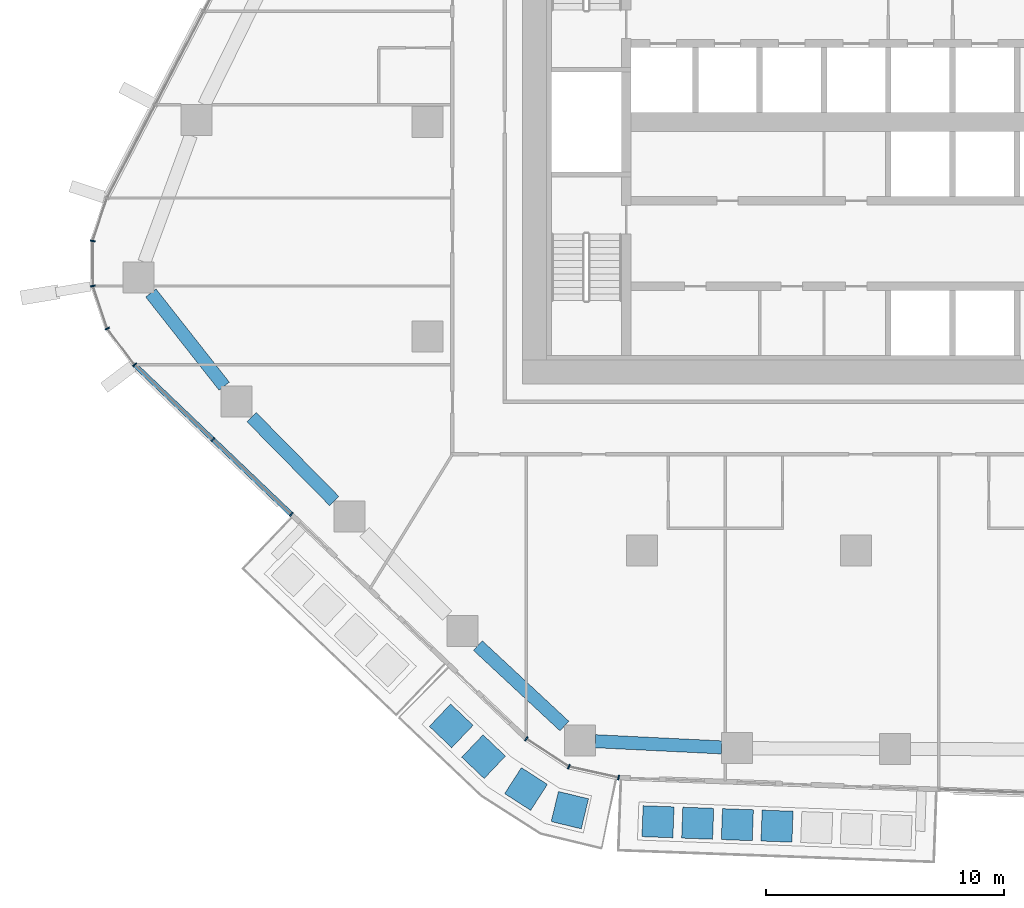
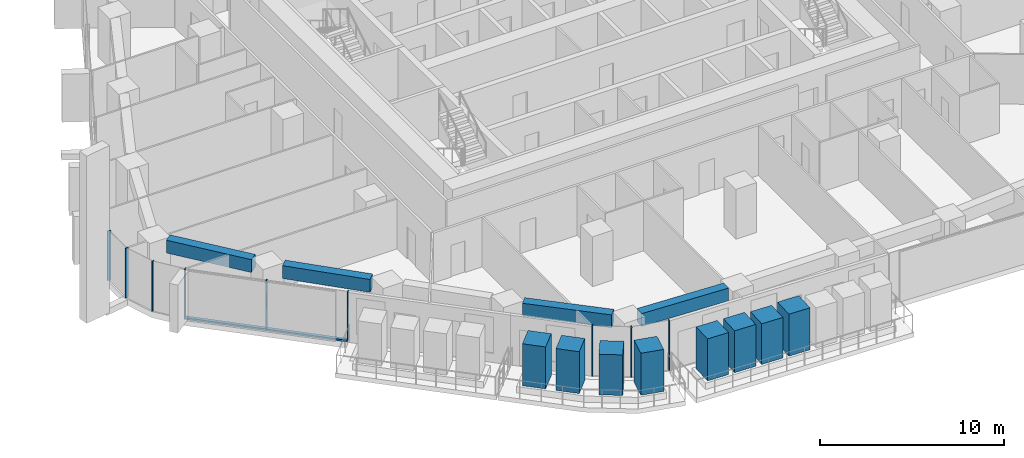
# One storey, part 2 of 24: 18 members, 4 beams, 3 elements without a shape of their own.
"""IFC4 building model written with IfcOpenShell, lengths in metres."""

import ifcopenshell
import ifcopenshell.guid

model = None  # the IFC model being written
_history = None  # IfcOwnerHistory: only IFC2X3 demands one
_inside = {}  # id of a spatial element -> (the spatial element, [elements in it])
_under = {}  # id of a project, library or spatial element -> (it, [spatial elements below it])
_declared = {}  # id of a project -> (the project, [libraries it declares])
_typed = {}  # id of a type object -> (the type object, [elements of that type])
_made_of = {}  # id of a material, layer set ... -> (it, [elements and type objects made of it])


def new_model(schema):
    """Start an empty IFC model of exactly this schema.

    Asked for "IFC4X3", IfcOpenShell would pick the latest addendum, in which some entities
    have other attributes; the version numbers below select the first issue.
    IFC2X3 requires an IfcOwnerHistory on every rooted entity: one is made here for all.
    """
    global model, _history
    if schema == "IFC4X3":
        model = ifcopenshell.file(schema_version=(4, 3, 0, 0))
    else:
        model = ifcopenshell.file(schema=schema)
    _inside.clear()
    _under.clear()
    _declared.clear()
    _typed.clear()
    _made_of.clear()
    _history = None
    if model.schema == "IFC2X3":
        org = make("IfcOrganization", Name="unknown")
        user = make(
            "IfcPersonAndOrganization",
            ThePerson=make("IfcPerson", FamilyName="unknown"),
            TheOrganization=org,
        )
        app = make(
            "IfcApplication",
            ApplicationDeveloper=org,
            Version="unknown",
            ApplicationFullName="unknown",
            ApplicationIdentifier="unknown",
        )
        _history = make(
            "IfcOwnerHistory",
            OwningUser=user,
            OwningApplication=app,
            ChangeAction="ADDED",
            CreationDate=0,
        )
    return model


def make(cls, **values):
    """One entity of the class cls with the attributes given. An attribute that is None is left unset."""
    return model.create_entity(
        cls, **{name: value for name, value in values.items() if value is not None}
    )


def rooted(cls, **values):
    """An entity with a GlobalId (a new one), such as an element, a storey or a relation."""
    return make(cls, GlobalId=ifcopenshell.guid.new(), OwnerHistory=_history, **values)


def si_unit(unit_type, name, prefix=None):
    """IfcSIUnit, for example si_unit("LENGTHUNIT", "METRE", prefix="MILLI")."""
    return make("IfcSIUnit", UnitType=unit_type, Prefix=prefix, Name=name)


def assignment(units):
    """IfcUnitAssignment: the units of a project."""
    return None if units is None else make("IfcUnitAssignment", Units=units)


def point(xyz):
    """IfcCartesianPoint."""
    return None if xyz is None else make("IfcCartesianPoint", Coordinates=xyz)


def direction(xyz):
    """IfcDirection."""
    return None if xyz is None else make("IfcDirection", DirectionRatios=xyz)


def frame(location, z_axis=None, x_axis=None):
    """IfcAxis2Placement3D, a coordinate frame: its origin and axes. An axis left out is left unset."""
    return make(
        "IfcAxis2Placement3D",
        Location=point(location),
        Axis=direction(z_axis),
        RefDirection=direction(x_axis),
    )


def frame_2d(location, x_axis=None):
    """IfcAxis2Placement2D, a coordinate frame in the plane: its origin and x axis."""
    return make(
        "IfcAxis2Placement2D", Location=point(location), RefDirection=direction(x_axis)
    )


def origin():
    """The frame at (0, 0, 0) with its axes left unset."""
    return frame((0.0, 0.0, 0.0))


def origin_2d():
    """The frame at (0, 0) in the plane with its x axis left unset."""
    return frame_2d((0.0, 0.0))


def place(relative_to, where):
    """IfcLocalPlacement: puts the frame where relative to a parent placement (None: the world)."""
    return make(
        "IfcLocalPlacement", PlacementRelTo=relative_to, RelativePlacement=where
    )


def context(
    kind, dimensions, precision=None, world=None, true_north=None, identifier=None
):
    """IfcGeometricRepresentationContext, for example the 3D "Model" context."""
    return make(
        "IfcGeometricRepresentationContext",
        ContextIdentifier=identifier,
        ContextType=kind,
        CoordinateSpaceDimension=dimensions,
        Precision=precision,
        WorldCoordinateSystem=world,
        TrueNorth=true_north,
    )


def subcontext(parent, identifier, kind, view, scale=None):
    """IfcGeometricRepresentationSubContext, for example "Body" below "Model"."""
    return make(
        "IfcGeometricRepresentationSubContext",
        ContextIdentifier=identifier,
        ContextType=kind,
        ParentContext=parent,
        TargetScale=scale,
        TargetView=view,
    )


def project(units=None, contexts=None):
    """IfcProject with its units and contexts."""
    return rooted(
        "IfcProject",
        Name="project",
        RepresentationContexts=contexts,
        UnitsInContext=assignment(units),
    )


def spatial(cls, under=None, at=None, **own):
    """A site, building, storey or space (cls), placed at a placement, below another one or the project."""
    s = rooted(cls, ObjectPlacement=at, **own)
    if under is not None:
        _under.setdefault(under.id(), (under, []))[1].append(s)
    return s


def profile(cls, at=None, kind="AREA", **sizes):
    """A parametric profile (cls). Its sizes go by their IFC names, for example OverallWidth=200.0."""
    return make(cls, ProfileType=kind, Position=at, **sizes)


def rectangle(**sizes):
    """IfcRectangleProfileDef."""
    return profile("IfcRectangleProfileDef", **sizes)


def extrude(swept, where, along, depth):
    """IfcExtrudedAreaSolid: the profile swept, set in the frame where, extruded along a direction by depth."""
    return make(
        "IfcExtrudedAreaSolid",
        SweptArea=swept,
        Position=where,
        ExtrudedDirection=direction(along),
        Depth=depth,
    )


def shape(context_of_items, identifier, shape_type, items):
    """IfcShapeRepresentation: the items that make up one representation, for example the "Body"."""
    return make(
        "IfcShapeRepresentation",
        ContextOfItems=context_of_items,
        RepresentationIdentifier=identifier,
        RepresentationType=shape_type,
        Items=items,
    )


def material(Name=None, Category=None):
    """IfcMaterial."""
    return make("IfcMaterial", Name=Name, Category=Category)


def layer(
    of_material, thickness, ventilated=None, Name=None, Category=None, Priority=None
):
    """IfcMaterialLayer: one layer of a wall or slab, of a material (None: an air gap)."""
    return make(
        "IfcMaterialLayer",
        Material=of_material,
        LayerThickness=thickness,
        IsVentilated=ventilated,
        Name=Name,
        Category=Category,
        Priority=Priority,
    )


def layer_set(layers, Name=None):
    """IfcMaterialLayerSet."""
    return make("IfcMaterialLayerSet", MaterialLayers=layers, LayerSetName=Name)


def material_profile(
    of_material, cross_section, Name=None, Category=None, Priority=None
):
    """IfcMaterialProfile: a cross section and its material."""
    return make(
        "IfcMaterialProfile",
        Name=Name,
        Material=of_material,
        Profile=cross_section,
        Priority=Priority,
        Category=Category,
    )


def profile_set(profiles, Name=None, composite=None):
    """IfcMaterialProfileSet."""
    return make(
        "IfcMaterialProfileSet",
        Name=Name,
        MaterialProfiles=profiles,
        CompositeProfile=composite,
    )


def made_of(thing, what):
    """Note that an element or type object is made of a material, layer set ...; save() writes the relation."""
    if what is not None:
        _made_of.setdefault(what.id(), (what, []))[1].append(thing)
    return thing


def type_object(cls, material=None, **own):
    """A type object (cls), such as IfcWallType, which elements share."""
    return made_of(rooted(cls, **own), material)


def element(
    cls,
    number,
    at=None,
    inside=None,
    cuts=None,
    type_object=None,
    material=None,
    context=None,
    identifier="Body",
    shape_type=None,
    held_by="IfcProductDefinitionShape",
    body=None,
    shapes=None,
    **own,
):
    """One element of the class cls, such as IfcWall. Its Tag is "e" and its number.

    at: its placement. inside: the storey or other place that contains it. cuts: it is an
    opening in that element (IfcRelVoidsElement). A single representation is given by context,
    identifier, shape_type and body (its items); several are given by shapes. held_by: the class
    of the entity that holds the representations. save() writes the other relations.
    """
    e = rooted(cls, Tag="e%d" % number, ObjectPlacement=at, **own)
    if body is not None:
        shapes = [shape(context, identifier, shape_type, body)]
    if shapes is not None:
        e.Representation = make(held_by, Representations=shapes)
    if inside is not None:
        _inside.setdefault(inside.id(), (inside, []))[1].append(e)
    if cuts is not None:
        rooted(
            "IfcRelVoidsElement", RelatingBuildingElement=cuts, RelatedOpeningElement=e
        )
    if type_object is not None:
        _typed.setdefault(type_object.id(), (type_object, []))[1].append(e)
    return made_of(e, material)


def aggregate(whole, parts):
    """IfcRelAggregates: a whole, such as a stair, and the parts it consists of."""
    return rooted("IfcRelAggregates", RelatingObject=whole, RelatedObjects=parts)


def save(model, path):
    """Write the relations noted so far, then the file.

    IfcRelAggregates (storeys below a building ...), IfcRelContainedInSpatialStructure (elements
    in a storey), IfcRelDefinesByType, IfcRelAssociatesMaterial and IfcRelDeclares: one each for
    every whole, place, type object, material and project.
    """
    for whole, parts in _under.values():
        aggregate(whole, parts)
    for where, things in _inside.values():
        rooted(
            "IfcRelContainedInSpatialStructure",
            RelatedElements=things,
            RelatingStructure=where,
        )
    for kind, things in _typed.values():
        rooted("IfcRelDefinesByType", RelatedObjects=things, RelatingType=kind)
    for what, things in _made_of.values():
        rooted("IfcRelAssociatesMaterial", RelatedObjects=things, RelatingMaterial=what)
    for by, libraries in _declared.values():
        rooted("IfcRelDeclares", RelatingContext=by, RelatedDefinitions=libraries)
    model.write(path)


model = new_model("IFC4")

# Units and contexts
model_context = context("Model", 3, precision=1e-05, world=origin(), true_north=direction((0.0, 1.0)))
body_context = subcontext(model_context, "Body", "Model", "MODEL_VIEW")
ifc_project = project(units=[si_unit("LENGTHUNIT", "METRE"), si_unit("AREAUNIT", "SQUARE_METRE"), si_unit("VOLUMEUNIT", "CUBIC_METRE"), si_unit("PLANEANGLEUNIT", "RADIAN"), si_unit("MASSUNIT", "GRAM", prefix="KILO")], contexts=[model_context])

# Site, building, storey
site_placement = place(None, origin())
site = spatial("IfcSite", under=ifc_project, at=site_placement, CompositionType="ELEMENT")
building_placement = place(site_placement, origin())
building = spatial("IfcBuilding", under=site, at=building_placement, Name="Dongbaek Canopy Tower", CompositionType="ELEMENT")
storey_placement = place(building_placement, frame((0.0, 0.0, 106.300048828125)))
storey = spatial("IfcBuildingStorey", under=building, at=storey_placement, Name="L22", CompositionType="ELEMENT", Elevation=106.300048828125)

# Curtain wall, members
ifc_material_1 = material(Name="Aluminium 6063-T6 pale anodised", Category="aluminium")
ifc_layer = layer(ifc_material_1, 0.199951171875)
ifc_layer_set = layer_set([ifc_layer], Name="CW-1 unitised tower curtain wall")
curtain_wall_type = type_object("IfcCurtainWallType", Name="CW-1 unitised tower curtain wall", PredefinedType="NOTDEFINED", material=ifc_layer_set)
curtain_wall_1_placement = place(storey_placement, origin())
curtain_wall_1 = element("IfcCurtainWall", 1, at=curtain_wall_1_placement, inside=storey, type_object=curtain_wall_type, Name="CW-1 curtain wall K3.1", PredefinedType="NOTDEFINED")
ifc_material_2 = material(Name="Aluminium 6063-T6 pale anodised", Category="aluminium")
ifc_material_profile_1 = material_profile(ifc_material_2, rectangle(XDim=0.199951171875, YDim=0.06005859375, at=origin_2d()), Name="CW-1 mullion 60 x 200")
ifc_profile_set_1 = profile_set([ifc_material_profile_1], Name="Aluminium 6063-T6 pale anodised")
member_type_1 = type_object("IfcMemberType", Name="CW-1 mullion 60 x 200", PredefinedType="MULLION", material=ifc_profile_set_1)
member_1_placement = place(storey_placement, frame((-32.05517578125, -4.994384765625, 0.0), z_axis=(0.0, 0.0, 1.0), x_axis=(-0.987688354383, 0.156434377986, 0.0)))
member_1 = element("IfcMember", 2, at=member_1_placement, type_object=member_type_1, Name="CW-1 mullion K3.1.2", PredefinedType="MULLION", context=body_context, shape_type="SweptSolid", body=[
    extrude(rectangle(XDim=0.199951171875, YDim=0.06005859375, at=origin_2d()), origin(), (0.0, 0.0, 1.0), 3.300048828125),
])
member_2_placement = place(storey_placement, frame((-32.0478515625, -6.885009765625, 0.0), z_axis=(0.0, 0.0, 1.0), x_axis=(-0.986446734768, -0.164081807235, 0.0)))
member_2 = element("IfcMember", 3, at=member_2_placement, type_object=member_type_1, Name="CW-1 mullion K3.1.3", PredefinedType="MULLION", context=body_context, shape_type="SweptSolid", body=[
    extrude(rectangle(XDim=0.199951171875, YDim=0.06005859375, at=origin_2d()), origin(), (0.0, 0.0, 1.0), 3.300048828125),
])
member_3_placement = place(storey_placement, frame((-31.44287109375, -8.67626953125, 0.0), z_axis=(0.0, 0.0, 1.0), x_axis=(-0.883865304838, -0.467741512914, 0.0)))
member_3 = element("IfcMember", 4, at=member_3_placement, type_object=member_type_1, Name="CW-1 mullion K3.1.4", PredefinedType="MULLION", context=body_context, shape_type="SweptSolid", body=[
    extrude(rectangle(XDim=0.199951171875, YDim=0.06005859375, at=origin_2d()), origin(), (0.0, 0.0, 1.0), 3.300048828125),
])
member_4_placement = place(storey_placement, frame((-30.297119140625, -10.1904296875, 0.0), z_axis=(0.0, 0.0, 1.0), x_axis=(-0.797481377097, -0.603343561483, 0.0)))
member_4 = element("IfcMember", 5, at=member_4_placement, type_object=member_type_1, Name="CW-1 mullion K3.1.5", PredefinedType="MULLION", context=body_context, shape_type="SweptSolid", body=[
    extrude(rectangle(XDim=0.199951171875, YDim=0.06005859375, at=origin_2d()), origin(), (0.0, 0.0, 1.0), 3.300048828125),
])
aggregate(curtain_wall_1, [member_1, member_2, member_3, member_4])

curtain_wall_2_placement = place(storey_placement, origin())
curtain_wall_2 = element("IfcCurtainWall", 6, at=curtain_wall_2_placement, inside=storey, type_object=curtain_wall_type, Name="CW-1 curtain wall F3.1", PredefinedType="NOTDEFINED")
member_5_placement = place(storey_placement, frame((-27.010498046875, -13.327880859375, 0.119873046875), z_axis=(0.0, 0.0, 1.0), x_axis=(-0.690482477156, -0.723349119541, 0.0)))
member_5 = element("IfcMember", 7, at=member_5_placement, type_object=member_type_1, Name="CW-1 mullion F3.1.2", PredefinedType="MULLION", context=body_context, shape_type="SweptSolid", body=[
    extrude(rectangle(XDim=0.199951171875, YDim=0.06005859375, at=origin_2d()), origin(), (0.0, 0.0, 1.0), 3.18017578125),
])
member_6_placement = place(storey_placement, frame((-23.718017578125, -16.470703125, 0.119873046875), z_axis=(0.0, 0.0, 1.0), x_axis=(-0.690482477156, -0.723349119541, 0.0)))
member_6 = element("IfcMember", 8, at=member_6_placement, type_object=member_type_1, Name="CW-1 mullion F3.1.3", PredefinedType="MULLION", context=body_context, shape_type="SweptSolid", body=[
    extrude(rectangle(XDim=0.199951171875, YDim=0.06005859375, at=origin_2d()), origin(), (0.0, 0.0, 1.0), 3.18017578125),
])

curtain_wall_3_placement = place(storey_placement, origin())
curtain_wall_3 = element("IfcCurtainWall", 9, at=curtain_wall_3_placement, inside=storey, type_object=curtain_wall_type, Name="CW-1 curtain wall K4.1", PredefinedType="NOTDEFINED")
member_7_placement = place(storey_placement, frame((-13.847412109375, -25.892822265625, 0.0), z_axis=(0.0, 0.0, 1.0), x_axis=(-0.548723978581, -0.836003585716, 0.0)))
member_7 = element("IfcMember", 10, at=member_7_placement, type_object=member_type_1, Name="CW-1 mullion K4.1.1", PredefinedType="MULLION", context=body_context, shape_type="SweptSolid", body=[
    extrude(rectangle(XDim=0.199951171875, YDim=0.06005859375, at=origin_2d()), origin(), (0.0, 0.0, 1.0), 3.300048828125),
])
member_8_placement = place(storey_placement, frame((-12.061279296875, -27.065185546875, 0.0), z_axis=(0.0, 0.0, 1.0), x_axis=(-0.388974740933, -0.921248419763, 0.0)))
member_8 = element("IfcMember", 11, at=member_8_placement, type_object=member_type_1, Name="CW-1 mullion K4.1.2", PredefinedType="MULLION", context=body_context, shape_type="SweptSolid", body=[
    extrude(rectangle(XDim=0.199951171875, YDim=0.06005859375, at=origin_2d()), origin(), (0.0, 0.0, 1.0), 3.300048828125),
])
member_9_placement = place(storey_placement, frame((-9.975341796875, -27.52783203125, 0.0), z_axis=(0.0, 0.0, 1.0), x_axis=(-0.216472382683, -0.976288741887, 0.0)))
member_9 = element("IfcMember", 12, at=member_9_placement, type_object=member_type_1, Name="CW-1 mullion K4.1.3", PredefinedType="MULLION", context=body_context, shape_type="SweptSolid", body=[
    extrude(rectangle(XDim=0.199951171875, YDim=0.06005859375, at=origin_2d()), origin(), (0.0, 0.0, 1.0), 3.300048828125),
])
aggregate(curtain_wall_3, [member_7, member_8, member_9])

# Member
ifc_material_3 = material(Name="Aluminium 6063-T6 pale anodised", Category="aluminium")
ifc_material_profile_2 = material_profile(ifc_material_3, rectangle(XDim=0.199951171875, YDim=0.1201171875, at=origin_2d()), Name="CW-1 transom 120 x 200")
ifc_profile_set_2 = profile_set([ifc_material_profile_2], Name="Aluminium 6063-T6 pale anodised")
member_type_2 = type_object("IfcMemberType", Name="CW-1 transom 120 x 200", PredefinedType="USERDEFINED", material=ifc_profile_set_2)
member_10_placement = place(storey_placement, frame((-30.297119140625, -10.1904296875, 0.06005859375), z_axis=(0.723343356225, -0.690488514752, 0.0), x_axis=(0.690488514752, 0.723343356225, 0.0)))
member_10 = element("IfcMember", 13, at=member_10_placement, type_object=member_type_2, Name="CW-1 transom F3.1.1", ObjectType="TRANSOM", PredefinedType="USERDEFINED", context=body_context, shape_type="SweptSolid", body=[
    extrude(rectangle(XDim=0.199951171875, YDim=0.1201171875, at=origin_2d()), origin(), (0.0, 0.0, 1.0), 9.095458984375),
])

aggregate(curtain_wall_2, [member_5, member_6, member_10])

# Beams
ifc_material_4 = material(Name="Concrete C80", Category="concrete")
ifc_material_profile_3 = material_profile(ifc_material_4, rectangle(XDim=0.550048828125, YDim=0.85009765625, at=origin_2d()), Name="RC EDGE BEAM 550x850 C80")
ifc_profile_set_3 = profile_set([ifc_material_profile_3], Name="Concrete C80")
beam_type = type_object("IfcBeamType", Name="RC EDGE BEAM 550x850 C80", PredefinedType="BEAM", material=ifc_profile_set_3)
beam_1_placement = place(storey_placement, frame((-5.64990234375, -26.258056640625, 2.875), z_axis=(-0.998796128786, 0.049053981722, 0.0), x_axis=(-0.049053981722, -0.998796128786, 0.0)))
element("IfcBeam", 14, at=beam_1_placement, inside=storey, type_object=beam_type, Name="EDGEBEAM:L22:03", PredefinedType="BEAM", context=body_context, shape_type="SweptSolid", body=[
    extrude(rectangle(XDim=0.550048828125, YDim=0.85009765625, at=origin_2d()), origin(), (0.0, 0.0, 1.0), 5.305419921875),
])
beam_2_placement = place(storey_placement, frame((-12.2490234375, -25.361328125, 2.875), z_axis=(-0.732272884801, 0.681011323097, 0.0), x_axis=(-0.681011323097, -0.732272884801, 0.0)))
element("IfcBeam", 15, at=beam_2_placement, inside=storey, type_object=beam_type, Name="EDGEBEAM:L22:04", PredefinedType="BEAM", context=body_context, shape_type="SweptSolid", body=[
    extrude(rectangle(XDim=0.550048828125, YDim=0.85009765625, at=origin_2d()), origin(), (0.0, 0.0, 1.0), 4.962646484375),
])
beam_3_placement = place(storey_placement, frame((-21.9169921875, -15.909912109375, 2.875), z_axis=(-0.70172014863, 0.712452688259, 0.0), x_axis=(-0.712452688259, -0.70172014863, 0.0)))
element("IfcBeam", 16, at=beam_3_placement, inside=storey, type_object=beam_type, Name="EDGEBEAM:L22:06", PredefinedType="BEAM", context=body_context, shape_type="SweptSolid", body=[
    extrude(rectangle(XDim=0.550048828125, YDim=0.85009765625, at=origin_2d()), origin(), (0.0, 0.0, 1.0), 4.936279296875),
])
beam_4_placement = place(storey_placement, frame((-26.532470703125, -11.093017578125, 2.875), z_axis=(-0.618340753303, 0.78591011751, 0.0), x_axis=(-0.78591011751, -0.618340753303, 0.0)))
element("IfcBeam", 17, at=beam_4_placement, inside=storey, type_object=beam_type, Name="EDGEBEAM:L22:07", PredefinedType="BEAM", context=body_context, shape_type="SweptSolid", body=[
    extrude(rectangle(XDim=0.550048828125, YDim=0.85009765625, at=origin_2d()), origin(), (0.0, 0.0, 1.0), 4.982666015625),
])

# Members
ifc_material_5 = material(Name="Concrete C40/50 planter mass with planting", Category="concrete")
ifc_material_profile_4 = material_profile(ifc_material_5, rectangle(XDim=1.300048828125, YDim=1.300048828125, at=origin_2d()), Name="Terrace PLANTER shrub mass 1300 x 1300")
ifc_profile_set_4 = profile_set([ifc_material_profile_4], Name="Concrete C40/50 planter mass with planting")
member_type_3 = type_object("IfcMemberType", Name="Terrace PLANTER shrub mass 1300 x 1300", PredefinedType="USERDEFINED", material=ifc_profile_set_4)
member_11_placement = place(storey_placement, frame((-17.001708984375, -25.35400390625, 0.419921875), z_axis=(0.0, 0.0, 1.0), x_axis=(-0.689144208119, -0.724624220142, 0.0)))
element("IfcMember", 18, at=member_11_placement, inside=storey, type_object=member_type_3, Name="Planter shrubs L22 8.1", ObjectType="PLANTER", PredefinedType="USERDEFINED", context=body_context, shape_type="SweptSolid", body=[
    extrude(rectangle(XDim=1.300048828125, YDim=1.300048828125, at=origin_2d()), origin(), (0.0, 0.0, 1.0), 2.780029296875),
])
member_12_placement = place(storey_placement, frame((-15.641357421875, -26.647705078125, 0.419921875), z_axis=(0.0, 0.0, 1.0), x_axis=(-0.689144208119, -0.724624220142, 0.0)))
element("IfcMember", 19, at=member_12_placement, inside=storey, type_object=member_type_3, Name="Planter shrubs L22 8.2", ObjectType="PLANTER", PredefinedType="USERDEFINED", context=body_context, shape_type="SweptSolid", body=[
    extrude(rectangle(XDim=1.300048828125, YDim=1.300048828125, at=origin_2d()), origin(), (0.0, 0.0, 1.0), 2.77001953125),
])
member_13_placement = place(storey_placement, frame((-13.859619140625, -28.005126953125, 0.419921875), z_axis=(0.0, 0.0, 1.0), x_axis=(-0.542085669157, -0.840323227868, 0.0)))
element("IfcMember", 20, at=member_13_placement, inside=storey, type_object=member_type_3, Name="Planter shrubs L22 8.3", ObjectType="PLANTER", PredefinedType="USERDEFINED", context=body_context, shape_type="SweptSolid", body=[
    extrude(rectangle(XDim=1.300048828125, YDim=1.300048828125, at=origin_2d()), origin(), (0.0, 0.0, 1.0), 2.68994140625),
])
for number, where, z_axis, x_axis, name in (
    (21, (-12.019775390625, -28.893798828125, 0.419921875), (0.0, 0.0, 1.0), (-0.234243471434, -0.972177965236, 0.0), "Planter shrubs L22 8.4"),
    (22, (-8.318115234375, -29.380126953125, 0.419921875), (0.0, 0.0, 1.0), (-0.036872652499, -0.99931997253, 0.0), "Planter shrubs L22 4.1"),
):
    element("IfcMember", number, at=place(storey_placement, frame(where, z_axis=z_axis, x_axis=x_axis)), inside=storey, type_object=member_type_3, Name=name, ObjectType="PLANTER", PredefinedType="USERDEFINED", context=body_context, shape_type="SweptSolid", body=[
        extrude(rectangle(XDim=1.300048828125, YDim=1.300048828125, at=origin_2d()), origin(), (0.0, 0.0, 1.0), 2.780029296875),
    ])
member_14_placement = place(storey_placement, frame((-6.652099609375, -29.441650390625, 0.419921875), z_axis=(0.0, 0.0, 1.0), x_axis=(-0.036872652499, -0.99931997253, 0.0)))
element("IfcMember", 23, at=member_14_placement, inside=storey, type_object=member_type_3, Name="Planter shrubs L22 4.2", ObjectType="PLANTER", PredefinedType="USERDEFINED", context=body_context, shape_type="SweptSolid", body=[
    extrude(rectangle(XDim=1.300048828125, YDim=1.300048828125, at=origin_2d()), origin(), (0.0, 0.0, 1.0), 2.77001953125),
])
member_15_placement = place(storey_placement, frame((-4.986328125, -29.5029296875, 0.419921875), z_axis=(0.0, 0.0, 1.0), x_axis=(-0.036872652499, -0.99931997253, 0.0)))
element("IfcMember", 24, at=member_15_placement, inside=storey, type_object=member_type_3, Name="Planter shrubs L22 4.3", ObjectType="PLANTER", PredefinedType="USERDEFINED", context=body_context, shape_type="SweptSolid", body=[
    extrude(rectangle(XDim=1.300048828125, YDim=1.300048828125, at=origin_2d()), origin(), (0.0, 0.0, 1.0), 2.68994140625),
])
member_16_placement = place(storey_placement, frame((-3.3203125, -29.564453125, 0.419921875), z_axis=(0.0, 0.0, 1.0), x_axis=(-0.036872652499, -0.99931997253, 0.0)))
element("IfcMember", 25, at=member_16_placement, inside=storey, type_object=member_type_3, Name="Planter shrubs L22 4.4", ObjectType="PLANTER", PredefinedType="USERDEFINED", context=body_context, shape_type="SweptSolid", body=[
    extrude(rectangle(XDim=1.300048828125, YDim=1.300048828125, at=origin_2d()), origin(), (0.0, 0.0, 1.0), 2.780029296875),
])

save(model, "model.ifc")
